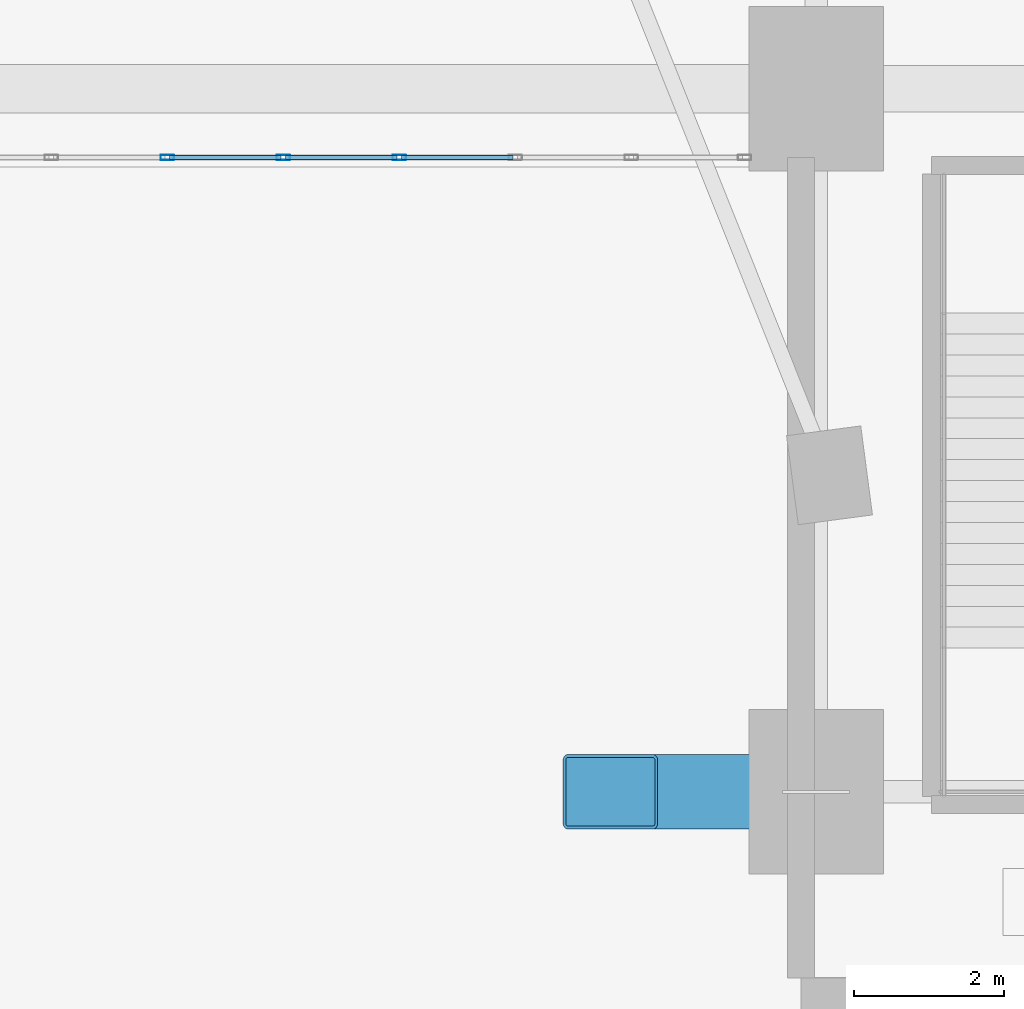
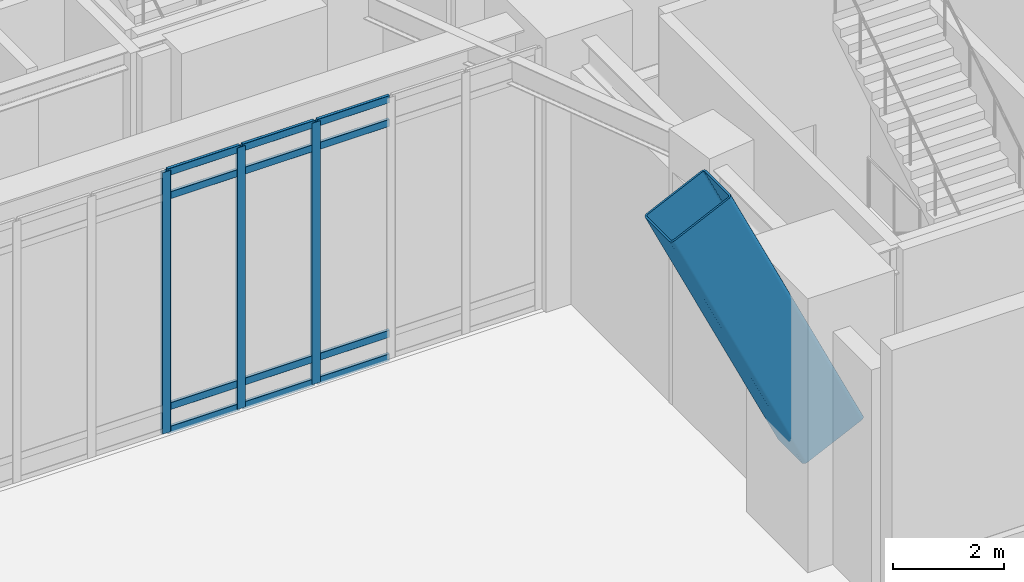
# One storey, part 6 of 27: 16 members, 1 element without a shape of its own.
"""IFC4 building model written with IfcOpenShell, lengths in metres."""

from ifc_helpers import new_model, si_unit, direction, frame, origin, origin_2d, place, context, subcontext, project, spatial, hollow_rectangle, extrude, material, layer, layer_set, material_profile, profile_set, type_object, element, aggregate, save


model = new_model("IFC4")

# Units and contexts
model_context = context("Model", 3, precision=1e-05, world=origin(), true_north=direction((0.0, 1.0)))
body_context = subcontext(model_context, "Body", "Model", "MODEL_VIEW")
ifc_project = project(units=[si_unit("LENGTHUNIT", "METRE"), si_unit("AREAUNIT", "SQUARE_METRE"), si_unit("VOLUMEUNIT", "CUBIC_METRE"), si_unit("PLANEANGLEUNIT", "RADIAN"), si_unit("MASSUNIT", "GRAM", prefix="KILO")], contexts=[model_context])

# Site, building, storey
site_placement = place(None, origin())
site = spatial("IfcSite", under=ifc_project, at=site_placement, CompositionType="ELEMENT")
building_placement = place(site_placement, origin())
building = spatial("IfcBuilding", under=site, at=building_placement, Name="Ndelora Gate Hotel", CompositionType="ELEMENT")
storey_placement = place(building_placement, origin())
storey = spatial("IfcBuildingStorey", under=building, at=storey_placement, Name="L00", CompositionType="ELEMENT", Elevation=0.0)

# Member
ifc_material_1 = material(Name="Steel S460", Category="steel")
ifc_material_profile_1 = material_profile(ifc_material_1, hollow_rectangle(XDim=1.0, YDim=1.39990234375, WallThickness=0.0400390625, InnerFilletRadius=0.0400390625, OuterFilletRadius=0.080078125, at=origin_2d()), Name="BOX 1400x1000x40")
ifc_profile_set_1 = profile_set([ifc_material_profile_1], Name="Steel S460")
member_type_1 = type_object("IfcMemberType", Name="MB-ARCH-RIB1", PredefinedType="CHORD", material=ifc_profile_set_1)
member_1_placement = place(storey_placement, frame((8.25, -18.800048828125, 8.018798828125), z_axis=(0.427287163011, 0.0, -0.904115966194), x_axis=(0.0, 1.0, 0.0)))
element("IfcMember", 1, at=member_1_placement, inside=storey, type_object=member_type_1, Name="Portal Arch Parabolic Rib S-8", PredefinedType="CHORD", context=body_context, shape_type="SweptSolid", body=[
    extrude(hollow_rectangle(XDim=1.0, YDim=1.39990234375, WallThickness=0.0400390625, InnerFilletRadius=0.0400390625, OuterFilletRadius=0.080078125, at=origin_2d()), origin(), (0.0, 0.0, 1.0), 6.43603515625),
])

# Curtain wall, members
ifc_material_2 = material(Name="Bronze Anodised Unitised Aluminium and Low-E Glass", Category="aluminium")
ifc_layer = layer(ifc_material_2, 0.239990234375)
ifc_layer_set = layer_set([ifc_layer], Name="Bronze Anodised Unitised Aluminium and Low-E Glass")
curtain_wall_type = type_object("IfcCurtainWallType", Name="CW-SYS-1", PredefinedType="NOTDEFINED", material=ifc_layer_set)
curtain_wall_placement = place(storey_placement, origin())
curtain_wall = element("IfcCurtainWall", 2, at=curtain_wall_placement, inside=storey, type_object=curtain_wall_type, Name="L00 South Portal Arch Concourse Curtain Wall CW1", PredefinedType="NOTDEFINED")
ifc_material_3 = material(Name="Bronze Anodised Aluminium 6063-T6", Category="aluminium")
ifc_material_profile_2 = material_profile(ifc_material_3, hollow_rectangle(XDim=0.070068359375, YDim=0.179931640625, WallThickness=0.0048828125, InnerFilletRadius=0.0048828125, OuterFilletRadius=0.010009765625, at=origin_2d()), Name="ALU 180x70x5")
ifc_profile_set_2 = profile_set([ifc_material_profile_2], Name="Bronze Anodised Aluminium 6063-T6")
member_type_2 = type_object("IfcMemberType", Name="MB-CW-MUL180", PredefinedType="MULLION", material=ifc_profile_set_2)
member_2_placement = place(storey_placement, frame((2.326171875, -10.320068359375, -0.00390625), z_axis=(0.0, 0.0, 1.0), x_axis=(0.0, 1.0, 0.0)))
member_2 = element("IfcMember", 3, at=member_2_placement, type_object=member_type_2, Name="CW1 mullion 9", PredefinedType="MULLION", context=body_context, shape_type="SweptSolid", body=[
    extrude(hollow_rectangle(XDim=0.070068359375, YDim=0.179931640625, WallThickness=0.0048828125, InnerFilletRadius=0.0048828125, OuterFilletRadius=0.010009765625, at=origin_2d()), origin(), (0.0, 0.0, 1.0), 5.72802734375),
])
member_3_placement = place(storey_placement, frame((3.876953125, -10.320068359375, -0.00390625), z_axis=(0.0, 0.0, 1.0), x_axis=(0.0, 1.0, 0.0)))
member_3 = element("IfcMember", 4, at=member_3_placement, type_object=member_type_2, Name="CW1 mullion 10", PredefinedType="MULLION", context=body_context, shape_type="SweptSolid", body=[
    extrude(hollow_rectangle(XDim=0.070068359375, YDim=0.179931640625, WallThickness=0.0048828125, InnerFilletRadius=0.0048828125, OuterFilletRadius=0.010009765625, at=origin_2d()), origin(), (0.0, 0.0, 1.0), 5.72802734375),
])
member_4_placement = place(storey_placement, frame((5.427734375, -10.320068359375, -0.00390625), z_axis=(0.0, 0.0, 1.0), x_axis=(0.0, 1.0, 0.0)))
member_4 = element("IfcMember", 5, at=member_4_placement, type_object=member_type_2, Name="CW1 mullion 11", PredefinedType="MULLION", context=body_context, shape_type="SweptSolid", body=[
    extrude(hollow_rectangle(XDim=0.070068359375, YDim=0.179931640625, WallThickness=0.0048828125, InnerFilletRadius=0.0048828125, OuterFilletRadius=0.010009765625, at=origin_2d()), origin(), (0.0, 0.0, 1.0), 5.72802734375),
])
ifc_material_profile_3 = material_profile(ifc_material_3, hollow_rectangle(XDim=0.06494140625, YDim=0.159912109375, WallThickness=0.00390625, InnerFilletRadius=0.00390625, OuterFilletRadius=0.008056640625, at=origin_2d()), Name="ALU 160x65x4")
ifc_profile_set_3 = profile_set([ifc_material_profile_3], Name="Bronze Anodised Aluminium 6063-T6")
member_type_3 = type_object("IfcMemberType", Name="MB-CW-TRN150", PredefinedType="USERDEFINED", material=ifc_profile_set_3)
member_5_placement = place(storey_placement, frame((2.355224609375, -10.320068359375, 0.032470703125), z_axis=(1.0, 0.0, 0.0), x_axis=(0.0, 1.0, 0.0)))
member_5 = element("IfcMember", 6, at=member_5_placement, type_object=member_type_3, Name="CW1 transom 9.1", ObjectType="TRANSOM", PredefinedType="USERDEFINED", context=body_context, shape_type="SweptSolid", body=[
    extrude(hollow_rectangle(XDim=0.06494140625, YDim=0.159912109375, WallThickness=0.00390625, InnerFilletRadius=0.00390625, OuterFilletRadius=0.008056640625, at=origin_2d()), origin(), (0.0, 0.0, 1.0), 1.49267578125),
])
member_6_placement = place(storey_placement, frame((2.355224609375, -10.320068359375, 0.550048828125), z_axis=(1.0, 0.0, 0.0), x_axis=(0.0, 1.0, 0.0)))
member_6 = element("IfcMember", 7, at=member_6_placement, type_object=member_type_3, Name="CW1 transom 9.2", ObjectType="TRANSOM", PredefinedType="USERDEFINED", context=body_context, shape_type="SweptSolid", body=[
    extrude(hollow_rectangle(XDim=0.06494140625, YDim=0.159912109375, WallThickness=0.00390625, InnerFilletRadius=0.00390625, OuterFilletRadius=0.008056640625, at=origin_2d()), origin(), (0.0, 0.0, 1.0), 1.49267578125),
])
member_7_placement = place(storey_placement, frame((2.355224609375, -10.320068359375, 5.169921875), z_axis=(1.0, 0.0, 0.0), x_axis=(0.0, 1.0, 0.0)))
member_7 = element("IfcMember", 8, at=member_7_placement, type_object=member_type_3, Name="CW1 transom 9.3", ObjectType="TRANSOM", PredefinedType="USERDEFINED", context=body_context, shape_type="SweptSolid", body=[
    extrude(hollow_rectangle(XDim=0.06494140625, YDim=0.159912109375, WallThickness=0.00390625, InnerFilletRadius=0.00390625, OuterFilletRadius=0.008056640625, at=origin_2d()), origin(), (0.0, 0.0, 1.0), 1.49267578125),
])
member_8_placement = place(storey_placement, frame((2.355224609375, -10.320068359375, 5.6875), z_axis=(1.0, 0.0, 0.0), x_axis=(0.0, 1.0, 0.0)))
member_8 = element("IfcMember", 9, at=member_8_placement, type_object=member_type_3, Name="CW1 transom 9.4", ObjectType="TRANSOM", PredefinedType="USERDEFINED", context=body_context, shape_type="SweptSolid", body=[
    extrude(hollow_rectangle(XDim=0.06494140625, YDim=0.159912109375, WallThickness=0.00390625, InnerFilletRadius=0.00390625, OuterFilletRadius=0.008056640625, at=origin_2d()), origin(), (0.0, 0.0, 1.0), 1.49267578125),
])
member_9_placement = place(storey_placement, frame((3.906005859375, -10.320068359375, 0.032470703125), z_axis=(1.0, 0.0, 0.0), x_axis=(0.0, 1.0, 0.0)))
member_9 = element("IfcMember", 10, at=member_9_placement, type_object=member_type_3, Name="CW1 transom 10.1", ObjectType="TRANSOM", PredefinedType="USERDEFINED", context=body_context, shape_type="SweptSolid", body=[
    extrude(hollow_rectangle(XDim=0.06494140625, YDim=0.159912109375, WallThickness=0.00390625, InnerFilletRadius=0.00390625, OuterFilletRadius=0.008056640625, at=origin_2d()), origin(), (0.0, 0.0, 1.0), 1.49267578125),
])
member_10_placement = place(storey_placement, frame((3.906005859375, -10.320068359375, 0.550048828125), z_axis=(1.0, 0.0, 0.0), x_axis=(0.0, 1.0, 0.0)))
member_10 = element("IfcMember", 11, at=member_10_placement, type_object=member_type_3, Name="CW1 transom 10.2", ObjectType="TRANSOM", PredefinedType="USERDEFINED", context=body_context, shape_type="SweptSolid", body=[
    extrude(hollow_rectangle(XDim=0.06494140625, YDim=0.159912109375, WallThickness=0.00390625, InnerFilletRadius=0.00390625, OuterFilletRadius=0.008056640625, at=origin_2d()), origin(), (0.0, 0.0, 1.0), 1.49267578125),
])
member_11_placement = place(storey_placement, frame((3.906005859375, -10.320068359375, 5.169921875), z_axis=(1.0, 0.0, 0.0), x_axis=(0.0, 1.0, 0.0)))
member_11 = element("IfcMember", 12, at=member_11_placement, type_object=member_type_3, Name="CW1 transom 10.3", ObjectType="TRANSOM", PredefinedType="USERDEFINED", context=body_context, shape_type="SweptSolid", body=[
    extrude(hollow_rectangle(XDim=0.06494140625, YDim=0.159912109375, WallThickness=0.00390625, InnerFilletRadius=0.00390625, OuterFilletRadius=0.008056640625, at=origin_2d()), origin(), (0.0, 0.0, 1.0), 1.49267578125),
])
member_12_placement = place(storey_placement, frame((3.906005859375, -10.320068359375, 5.6875), z_axis=(1.0, 0.0, 0.0), x_axis=(0.0, 1.0, 0.0)))
member_12 = element("IfcMember", 13, at=member_12_placement, type_object=member_type_3, Name="CW1 transom 10.4", ObjectType="TRANSOM", PredefinedType="USERDEFINED", context=body_context, shape_type="SweptSolid", body=[
    extrude(hollow_rectangle(XDim=0.06494140625, YDim=0.159912109375, WallThickness=0.00390625, InnerFilletRadius=0.00390625, OuterFilletRadius=0.008056640625, at=origin_2d()), origin(), (0.0, 0.0, 1.0), 1.49267578125),
])
member_13_placement = place(storey_placement, frame((5.456787109375, -10.320068359375, 0.032470703125), z_axis=(1.0, 0.0, 0.0), x_axis=(0.0, 1.0, 0.0)))
member_13 = element("IfcMember", 14, at=member_13_placement, type_object=member_type_3, Name="CW1 transom 11.1", ObjectType="TRANSOM", PredefinedType="USERDEFINED", context=body_context, shape_type="SweptSolid", body=[
    extrude(hollow_rectangle(XDim=0.06494140625, YDim=0.159912109375, WallThickness=0.00390625, InnerFilletRadius=0.00390625, OuterFilletRadius=0.008056640625, at=origin_2d()), origin(), (0.0, 0.0, 1.0), 1.49267578125),
])
member_14_placement = place(storey_placement, frame((5.456787109375, -10.320068359375, 0.550048828125), z_axis=(1.0, 0.0, 0.0), x_axis=(0.0, 1.0, 0.0)))
member_14 = element("IfcMember", 15, at=member_14_placement, type_object=member_type_3, Name="CW1 transom 11.2", ObjectType="TRANSOM", PredefinedType="USERDEFINED", context=body_context, shape_type="SweptSolid", body=[
    extrude(hollow_rectangle(XDim=0.06494140625, YDim=0.159912109375, WallThickness=0.00390625, InnerFilletRadius=0.00390625, OuterFilletRadius=0.008056640625, at=origin_2d()), origin(), (0.0, 0.0, 1.0), 1.49267578125),
])
member_15_placement = place(storey_placement, frame((5.456787109375, -10.320068359375, 5.169921875), z_axis=(1.0, 0.0, 0.0), x_axis=(0.0, 1.0, 0.0)))
member_15 = element("IfcMember", 16, at=member_15_placement, type_object=member_type_3, Name="CW1 transom 11.3", ObjectType="TRANSOM", PredefinedType="USERDEFINED", context=body_context, shape_type="SweptSolid", body=[
    extrude(hollow_rectangle(XDim=0.06494140625, YDim=0.159912109375, WallThickness=0.00390625, InnerFilletRadius=0.00390625, OuterFilletRadius=0.008056640625, at=origin_2d()), origin(), (0.0, 0.0, 1.0), 1.49267578125),
])
member_16_placement = place(storey_placement, frame((5.456787109375, -10.320068359375, 5.6875), z_axis=(1.0, 0.0, 0.0), x_axis=(0.0, 1.0, 0.0)))
member_16 = element("IfcMember", 17, at=member_16_placement, type_object=member_type_3, Name="CW1 transom 11.4", ObjectType="TRANSOM", PredefinedType="USERDEFINED", context=body_context, shape_type="SweptSolid", body=[
    extrude(hollow_rectangle(XDim=0.06494140625, YDim=0.159912109375, WallThickness=0.00390625, InnerFilletRadius=0.00390625, OuterFilletRadius=0.008056640625, at=origin_2d()), origin(), (0.0, 0.0, 1.0), 1.49267578125),
])
aggregate(curtain_wall, [member_2, member_3, member_4, member_5, member_6, member_7, member_8, member_9, member_10, member_11, member_12, member_13, member_14, member_15, member_16])

save(model, "model.ifc")
